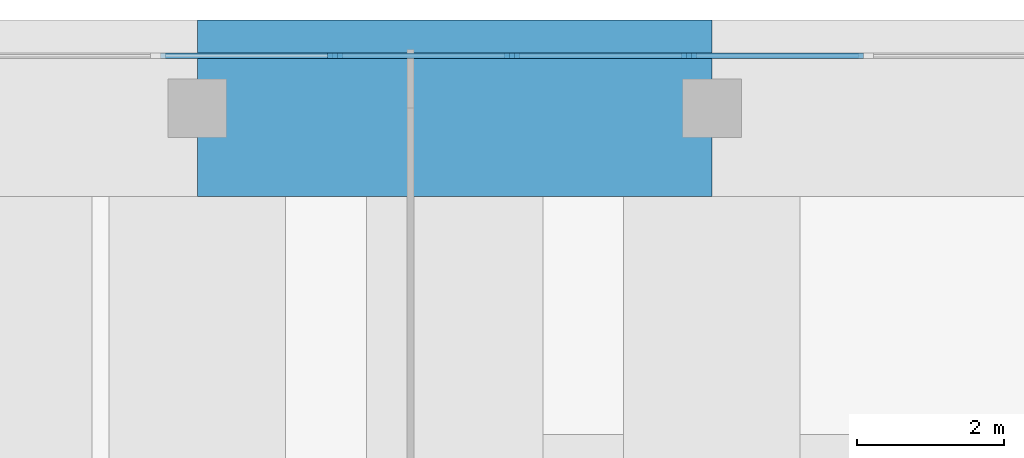
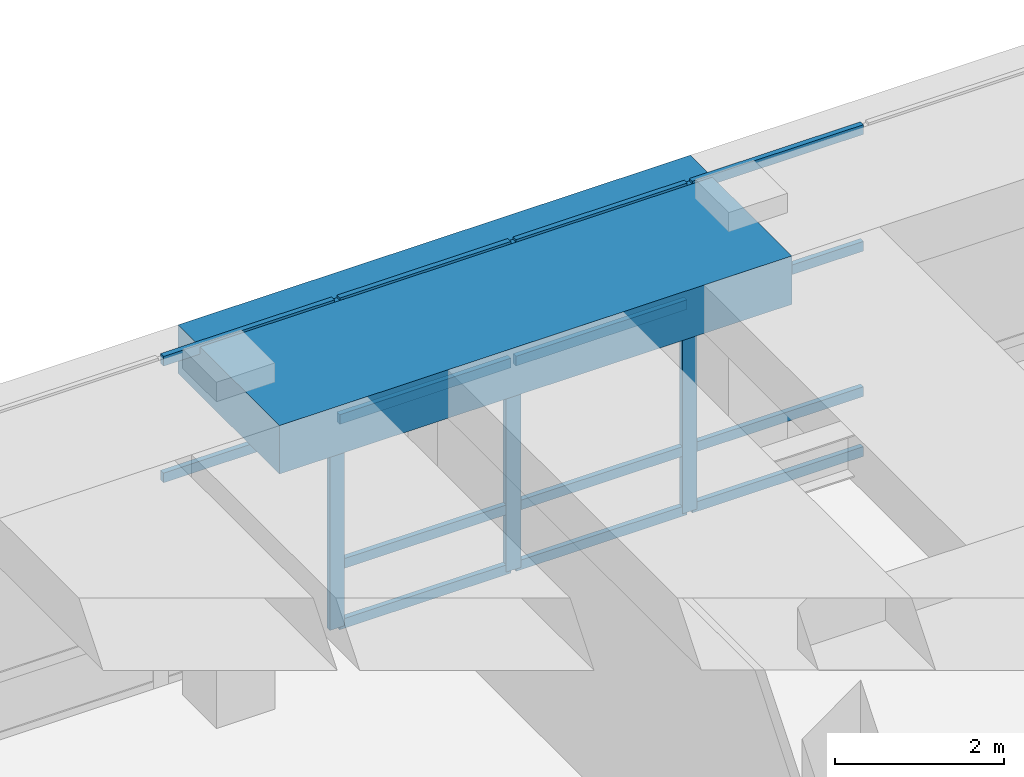
# One storey, part 10 of 24: 17 members, 1 beam, 1 element without a shape of its own.
"""IFC4 building model written with IfcOpenShell, lengths in metres."""

from ifc_helpers import new_model, si_unit, direction, frame, origin, origin_2d, place, context, subcontext, project, spatial, rectangle, extrude, material, material_profile, profile_set, type_object, element, aggregate, save


model = new_model("IFC4")

# Units and contexts
model_context = context("Model", 3, precision=1e-05, world=origin(), true_north=direction((0.0, 1.0)))
body_context = subcontext(model_context, "Body", "Model", "MODEL_VIEW")
ifc_project = project(units=[si_unit("LENGTHUNIT", "METRE"), si_unit("AREAUNIT", "SQUARE_METRE"), si_unit("VOLUMEUNIT", "CUBIC_METRE"), si_unit("PLANEANGLEUNIT", "RADIAN"), si_unit("MASSUNIT", "GRAM", prefix="KILO")], contexts=[model_context])

# Site, building, storey
site_placement = place(None, origin())
site = spatial("IfcSite", under=ifc_project, at=site_placement, CompositionType="ELEMENT")
building_placement = place(site_placement, origin())
building = spatial("IfcBuilding", under=site, at=building_placement, Name="Jalousie Tower", CompositionType="ELEMENT")
storey_placement = place(building_placement, frame((0.0, 0.0, 11.0)))
storey = spatial("IfcBuildingStorey", under=building, at=storey_placement, Name="L02", CompositionType="ELEMENT", Elevation=11.0)

# Curtain wall, members
ifc_material_1 = material(Name="Aluminium curtain wall", Category="aluminium")
curtain_wall_type = type_object("IfcCurtainWallType", Name="PODIUM WINDOW WALL", PredefinedType="USERDEFINED", material=ifc_material_1)
curtain_wall_placement = place(storey_placement, origin())
curtain_wall = element("IfcCurtainWall", 1, at=curtain_wall_placement, inside=storey, type_object=curtain_wall_type, Name="Podium Window Wall L02 21", ObjectType="PODIUM WINDOW WALL", PredefinedType="USERDEFINED")
ifc_material_2 = material(Name="Aluminium mullion", Category="aluminium")
ifc_material_profile_1 = material_profile(ifc_material_2, rectangle(XDim=0.070068359375, YDim=0.199951171875, at=origin_2d()), Name="MULLION 70x200")
ifc_profile_set_1 = profile_set([ifc_material_profile_1], Name="Aluminium mullion")
member_type_1 = type_object("IfcMemberType", Name="PODIUM WINDOW WALL MULLION", PredefinedType="MULLION", material=ifc_profile_set_1)
member_1_placement = place(storey_placement, frame((52.689208984375, 45.91259765625, 0.0), z_axis=(0.0, 0.0, 1.0), x_axis=(0.0, -1.0, 0.0)))
member_1 = element("IfcMember", 2, at=member_1_placement, type_object=member_type_1, Name="CW-P mullion 4", PredefinedType="MULLION", context=body_context, shape_type="SweptSolid", body=[
    extrude(rectangle(XDim=0.070068359375, YDim=0.199951171875, at=origin_2d()), origin(), (0.0, 0.0, 1.0), 4.719970703125),
])
member_2_placement = place(storey_placement, frame((50.281494140625, 45.91259765625, 0.0), z_axis=(0.0, 0.0, 1.0), x_axis=(0.0, -1.0, 0.0)))
member_2 = element("IfcMember", 3, at=member_2_placement, type_object=member_type_1, Name="CW-P mullion 5", PredefinedType="MULLION", context=body_context, shape_type="SweptSolid", body=[
    extrude(rectangle(XDim=0.070068359375, YDim=0.199951171875, at=origin_2d()), origin(), (0.0, 0.0, 1.0), 4.719970703125),
])
member_3_placement = place(storey_placement, frame((47.873779296875, 45.91259765625, 0.0), z_axis=(0.0, 0.0, 1.0), x_axis=(0.0, -1.0, 0.0)))
member_3 = element("IfcMember", 4, at=member_3_placement, type_object=member_type_1, Name="CW-P mullion 6", PredefinedType="MULLION", context=body_context, shape_type="SweptSolid", body=[
    extrude(rectangle(XDim=0.070068359375, YDim=0.199951171875, at=origin_2d()), origin(), (0.0, 0.0, 1.0), 4.719970703125),
])
ifc_material_3 = material(Name="Aluminium transom", Category="aluminium")
ifc_material_profile_2 = material_profile(ifc_material_3, rectangle(XDim=0.070068359375, YDim=0.139892578125, at=origin_2d()), Name="TRANSOM 70x140")
ifc_profile_set_2 = profile_set([ifc_material_profile_2], Name="Aluminium transom")
member_type_2 = type_object("IfcMemberType", Name="PODIUM WINDOW WALL TRANSOM", PredefinedType="USERDEFINED", material=ifc_profile_set_2)
member_4_placement = place(storey_placement, frame((55.06201171875, 45.91259765625, 0.034912109375), z_axis=(-1.0, 0.0, 0.0), x_axis=(0.0, -1.0, 0.0)))
member_4 = element("IfcMember", 5, at=member_4_placement, type_object=member_type_2, Name="CW-P transom 3.1", ObjectType="TRANSOM", PredefinedType="USERDEFINED", context=body_context, shape_type="SweptSolid", body=[
    extrude(rectangle(XDim=0.070068359375, YDim=0.139892578125, at=origin_2d()), origin(), (0.0, 0.0, 1.0), 2.337890625),
])
member_5_placement = place(storey_placement, frame((55.06201171875, 45.91259765625, 0.89990234375), z_axis=(-1.0, 0.0, 0.0), x_axis=(0.0, -1.0, 0.0)))
member_5 = element("IfcMember", 6, at=member_5_placement, type_object=member_type_2, Name="CW-P transom 3.2", ObjectType="TRANSOM", PredefinedType="USERDEFINED", context=body_context, shape_type="SweptSolid", body=[
    extrude(rectangle(XDim=0.070068359375, YDim=0.139892578125, at=origin_2d()), origin(), (0.0, 0.0, 1.0), 2.337890625),
])
member_6_placement = place(storey_placement, frame((55.06201171875, 45.91259765625, 3.0), z_axis=(-1.0, 0.0, 0.0), x_axis=(0.0, -1.0, 0.0)))
member_6 = element("IfcMember", 7, at=member_6_placement, type_object=member_type_2, Name="CW-P transom 3.3", ObjectType="TRANSOM", PredefinedType="USERDEFINED", context=body_context, shape_type="SweptSolid", body=[
    extrude(rectangle(XDim=0.070068359375, YDim=0.139892578125, at=origin_2d()), origin(), (0.0, 0.0, 1.0), 2.337890625),
])
member_7_placement = place(storey_placement, frame((55.06201171875, 45.91259765625, 4.68505859375), z_axis=(-1.0, 0.0, 0.0), x_axis=(0.0, -1.0, 0.0)))
member_7 = element("IfcMember", 8, at=member_7_placement, type_object=member_type_2, Name="CW-P transom 3.4", ObjectType="TRANSOM", PredefinedType="USERDEFINED", context=body_context, shape_type="SweptSolid", body=[
    extrude(rectangle(XDim=0.070068359375, YDim=0.139892578125, at=origin_2d()), origin(), (0.0, 0.0, 1.0), 2.337890625),
])
member_8_placement = place(storey_placement, frame((52.654296875, 45.91259765625, 0.034912109375), z_axis=(-1.0, 0.0, 0.0), x_axis=(0.0, -1.0, 0.0)))
member_8 = element("IfcMember", 9, at=member_8_placement, type_object=member_type_2, Name="CW-P transom 4.1", ObjectType="TRANSOM", PredefinedType="USERDEFINED", context=body_context, shape_type="SweptSolid", body=[
    extrude(rectangle(XDim=0.070068359375, YDim=0.139892578125, at=origin_2d()), origin(), (0.0, 0.0, 1.0), 2.337890625),
])
member_9_placement = place(storey_placement, frame((52.654296875, 45.91259765625, 0.89990234375), z_axis=(-1.0, 0.0, 0.0), x_axis=(0.0, -1.0, 0.0)))
member_9 = element("IfcMember", 10, at=member_9_placement, type_object=member_type_2, Name="CW-P transom 4.2", ObjectType="TRANSOM", PredefinedType="USERDEFINED", context=body_context, shape_type="SweptSolid", body=[
    extrude(rectangle(XDim=0.070068359375, YDim=0.139892578125, at=origin_2d()), origin(), (0.0, 0.0, 1.0), 2.337890625),
])
member_10_placement = place(storey_placement, frame((52.654296875, 45.91259765625, 3.0), z_axis=(-1.0, 0.0, 0.0), x_axis=(0.0, -1.0, 0.0)))
member_10 = element("IfcMember", 11, at=member_10_placement, type_object=member_type_2, Name="CW-P transom 4.3", ObjectType="TRANSOM", PredefinedType="USERDEFINED", context=body_context, shape_type="SweptSolid", body=[
    extrude(rectangle(XDim=0.070068359375, YDim=0.139892578125, at=origin_2d()), origin(), (0.0, 0.0, 1.0), 2.337890625),
])
member_11_placement = place(storey_placement, frame((52.654296875, 45.91259765625, 4.68505859375), z_axis=(-1.0, 0.0, 0.0), x_axis=(0.0, -1.0, 0.0)))
member_11 = element("IfcMember", 12, at=member_11_placement, type_object=member_type_2, Name="CW-P transom 4.4", ObjectType="TRANSOM", PredefinedType="USERDEFINED", context=body_context, shape_type="SweptSolid", body=[
    extrude(rectangle(XDim=0.070068359375, YDim=0.139892578125, at=origin_2d()), origin(), (0.0, 0.0, 1.0), 2.337890625),
])
member_12_placement = place(storey_placement, frame((50.24658203125, 45.91259765625, 0.034912109375), z_axis=(-1.0, 0.0, 0.0), x_axis=(0.0, -1.0, 0.0)))
member_12 = element("IfcMember", 13, at=member_12_placement, type_object=member_type_2, Name="CW-P transom 5.1", ObjectType="TRANSOM", PredefinedType="USERDEFINED", context=body_context, shape_type="SweptSolid", body=[
    extrude(rectangle(XDim=0.070068359375, YDim=0.139892578125, at=origin_2d()), origin(), (0.0, 0.0, 1.0), 2.337890625),
])
member_13_placement = place(storey_placement, frame((50.24658203125, 45.91259765625, 0.89990234375), z_axis=(-1.0, 0.0, 0.0), x_axis=(0.0, -1.0, 0.0)))
member_13 = element("IfcMember", 14, at=member_13_placement, type_object=member_type_2, Name="CW-P transom 5.2", ObjectType="TRANSOM", PredefinedType="USERDEFINED", context=body_context, shape_type="SweptSolid", body=[
    extrude(rectangle(XDim=0.070068359375, YDim=0.139892578125, at=origin_2d()), origin(), (0.0, 0.0, 1.0), 2.337890625),
])
member_14_placement = place(storey_placement, frame((50.24658203125, 45.91259765625, 3.0), z_axis=(-1.0, 0.0, 0.0), x_axis=(0.0, -1.0, 0.0)))
member_14 = element("IfcMember", 15, at=member_14_placement, type_object=member_type_2, Name="CW-P transom 5.3", ObjectType="TRANSOM", PredefinedType="USERDEFINED", context=body_context, shape_type="SweptSolid", body=[
    extrude(rectangle(XDim=0.070068359375, YDim=0.139892578125, at=origin_2d()), origin(), (0.0, 0.0, 1.0), 2.337890625),
])
member_15_placement = place(storey_placement, frame((50.24658203125, 45.91259765625, 4.68505859375), z_axis=(-1.0, 0.0, 0.0), x_axis=(0.0, -1.0, 0.0)))
member_15 = element("IfcMember", 16, at=member_15_placement, type_object=member_type_2, Name="CW-P transom 5.4", ObjectType="TRANSOM", PredefinedType="USERDEFINED", context=body_context, shape_type="SweptSolid", body=[
    extrude(rectangle(XDim=0.070068359375, YDim=0.139892578125, at=origin_2d()), origin(), (0.0, 0.0, 1.0), 2.337890625),
])
member_16_placement = place(storey_placement, frame((47.838623046875, 45.91259765625, 3.0), z_axis=(-1.0, 0.0, 0.0), x_axis=(0.0, -1.0, 0.0)))
member_16 = element("IfcMember", 17, at=member_16_placement, type_object=member_type_2, Name="CW-P transom 6.3", ObjectType="TRANSOM", PredefinedType="USERDEFINED", context=body_context, shape_type="SweptSolid", body=[
    extrude(rectangle(XDim=0.070068359375, YDim=0.139892578125, at=origin_2d()), origin(), (0.0, 0.0, 1.0), 2.337646484375),
])
member_17_placement = place(storey_placement, frame((47.838623046875, 45.91259765625, 4.68505859375), z_axis=(-1.0, 0.0, 0.0), x_axis=(0.0, -1.0, 0.0)))
member_17 = element("IfcMember", 18, at=member_17_placement, type_object=member_type_2, Name="CW-P transom 6.4", ObjectType="TRANSOM", PredefinedType="USERDEFINED", context=body_context, shape_type="SweptSolid", body=[
    extrude(rectangle(XDim=0.070068359375, YDim=0.139892578125, at=origin_2d()), origin(), (0.0, 0.0, 1.0), 2.337646484375),
])
aggregate(curtain_wall, [member_1, member_2, member_3, member_4, member_5, member_6, member_7, member_8, member_9, member_10, member_11, member_12, member_13, member_14, member_15, member_16, member_17])

# Beam
ifc_material_4 = material(Name="Concrete f'c 40 MPa", Category="concrete")
ifc_material_profile_3 = material_profile(ifc_material_4, rectangle(XDim=2.39990234375, YDim=0.699951171875, at=origin_2d()), Name="RC 2400x700")
ifc_profile_set_3 = profile_set([ifc_material_profile_3], Name="Concrete f'c 40 MPa")
beam_type = type_object("IfcBeamType", Name="RC BEAM 2400x700", PredefinedType="BEAM", material=ifc_profile_set_3)
beam_placement = place(storey_placement, frame((46.0, 45.199951171875, 4.3701171875), z_axis=(1.0, 0.0, 0.0), x_axis=(0.0, 1.0, 0.0)))
element("IfcBeam", 19, at=beam_placement, inside=storey, type_object=beam_type, Name="Floor band beam under L03", PredefinedType="BEAM", context=body_context, shape_type="SweptSolid", body=[
    extrude(rectangle(XDim=2.39990234375, YDim=0.699951171875, at=origin_2d()), origin(), (0.0, 0.0, 1.0), 7.0),
])

save(model, "model.ifc")
